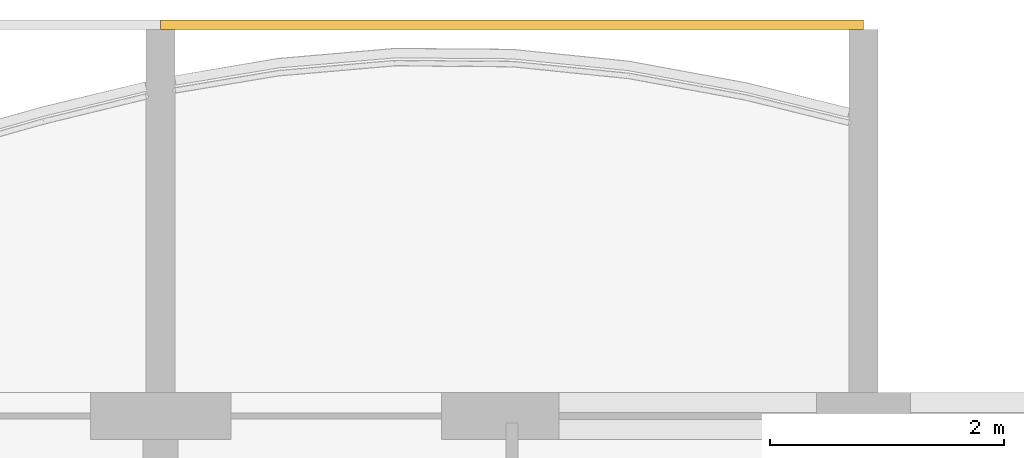
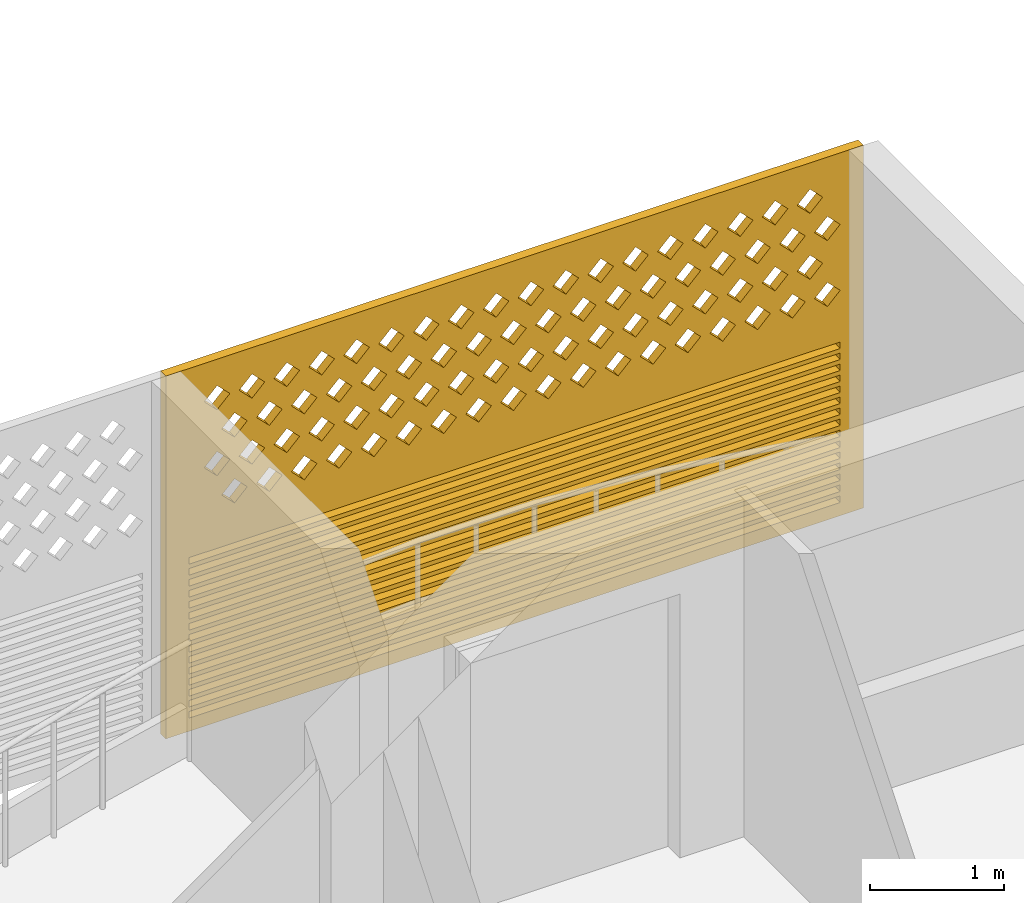
# One storey, part 25 of 33: 1 covering.
"""IFC4 building model written with IfcOpenShell, lengths in metres."""

from ifc_helpers import new_model, si_unit, direction, frame, origin, place, context, subcontext, project, spatial, polyline, outline, extrude, source, transform, mapped, material, material_profile, profile_set, type_object, element, save


model = new_model("IFC4")

# Units and contexts
model_context = context("Model", 3, precision=1e-05, world=origin(), true_north=direction((0.0, 1.0)))
body_context = subcontext(model_context, "Body", "Model", "MODEL_VIEW")
ifc_project = project(units=[si_unit("LENGTHUNIT", "METRE"), si_unit("AREAUNIT", "SQUARE_METRE"), si_unit("VOLUMEUNIT", "CUBIC_METRE"), si_unit("PLANEANGLEUNIT", "RADIAN"), si_unit("MASSUNIT", "GRAM", prefix="KILO")], contexts=[model_context])

# Site, building, storey
site_placement = place(None, origin())
site = spatial("IfcSite", under=ifc_project, at=site_placement, CompositionType="ELEMENT")
building_placement = place(site_placement, origin())
building = spatial("IfcBuilding", under=site, at=building_placement, Name="Poui Terraces", CompositionType="ELEMENT")
storey_placement = place(building_placement, frame((0.0, 0.0, 138.89990234375)))
storey = spatial("IfcBuildingStorey", under=building, at=storey_placement, Name="L38", CompositionType="ELEMENT", Elevation=138.89990234375)

# Covering
ifc_material = material(Name="Terracotta screen", Category="masonry")
ifc_material_profile = material_profile(ifc_material, outline(polyline([(-3.0, -1.64990234375), (3.0, -1.64990234375), (3.0, 1.64990234375), (-3.0, 1.64990234375), (-3.0, -1.64990234375)]), holes=[polyline([(-2.800048828125, 0.39990234375), (-2.68994140625, 0.2900390625), (-2.580078125, 0.39990234375), (-2.68994140625, 0.510009765625), (-2.800048828125, 0.39990234375)]), polyline([(-2.5, 0.39990234375), (-2.389892578125, 0.2900390625), (-2.280029296875, 0.39990234375), (-2.389892578125, 0.510009765625), (-2.5, 0.39990234375)]), polyline([(-2.199951171875, 0.39990234375), (-2.090087890625, 0.2900390625), (-1.97998046875, 0.39990234375), (-2.090087890625, 0.510009765625), (-2.199951171875, 0.39990234375)]), polyline([(-1.89990234375, 0.39990234375), (-1.7900390625, 0.2900390625), (-1.679931640625, 0.39990234375), (-1.7900390625, 0.510009765625), (-1.89990234375, 0.39990234375)]), polyline([(-1.60009765625, 0.39990234375), (-1.489990234375, 0.2900390625), (-1.3798828125, 0.39990234375), (-1.489990234375, 0.510009765625), (-1.60009765625, 0.39990234375)]), polyline([(-1.300048828125, 0.39990234375), (-1.18994140625, 0.2900390625), (-1.080078125, 0.39990234375), (-1.18994140625, 0.510009765625), (-1.300048828125, 0.39990234375)]), polyline([(-1.0, 0.39990234375), (-0.889892578125, 0.2900390625), (-0.780029296875, 0.39990234375), (-0.889892578125, 0.510009765625), (-1.0, 0.39990234375)]), polyline([(-0.699951171875, 0.39990234375), (-0.590087890625, 0.2900390625), (-0.47998046875, 0.39990234375), (-0.590087890625, 0.510009765625), (-0.699951171875, 0.39990234375)]), polyline([(-0.39990234375, 0.39990234375), (-0.2900390625, 0.2900390625), (-0.179931640625, 0.39990234375), (-0.2900390625, 0.510009765625), (-0.39990234375, 0.39990234375)]), polyline([(-0.10009765625, 0.39990234375), (0.010009765625, 0.2900390625), (0.1201171875, 0.39990234375), (0.010009765625, 0.510009765625), (-0.10009765625, 0.39990234375)]), polyline([(0.199951171875, 0.39990234375), (0.31005859375, 0.2900390625), (0.419921875, 0.39990234375), (0.31005859375, 0.510009765625), (0.199951171875, 0.39990234375)]), polyline([(0.5, 0.39990234375), (0.610107421875, 0.2900390625), (0.719970703125, 0.39990234375), (0.610107421875, 0.510009765625), (0.5, 0.39990234375)]), polyline([(0.800048828125, 0.39990234375), (0.909912109375, 0.2900390625), (1.02001953125, 0.39990234375), (0.909912109375, 0.510009765625), (0.800048828125, 0.39990234375)]), polyline([(1.10009765625, 0.39990234375), (1.2099609375, 0.2900390625), (1.320068359375, 0.39990234375), (1.2099609375, 0.510009765625), (1.10009765625, 0.39990234375)]), polyline([(1.39990234375, 0.39990234375), (1.510009765625, 0.2900390625), (1.6201171875, 0.39990234375), (1.510009765625, 0.510009765625), (1.39990234375, 0.39990234375)]), polyline([(1.699951171875, 0.39990234375), (1.81005859375, 0.2900390625), (1.919921875, 0.39990234375), (1.81005859375, 0.510009765625), (1.699951171875, 0.39990234375)]), polyline([(2.0, 0.39990234375), (2.110107421875, 0.2900390625), (2.219970703125, 0.39990234375), (2.110107421875, 0.510009765625), (2.0, 0.39990234375)]), polyline([(2.300048828125, 0.39990234375), (2.409912109375, 0.2900390625), (2.52001953125, 0.39990234375), (2.409912109375, 0.510009765625), (2.300048828125, 0.39990234375)]), polyline([(-2.64990234375, 0.699951171875), (-2.5400390625, 0.590087890625), (-2.429931640625, 0.699951171875), (-2.5400390625, 0.81005859375), (-2.64990234375, 0.699951171875)]), polyline([(-2.35009765625, 0.699951171875), (-2.239990234375, 0.590087890625), (-2.1298828125, 0.699951171875), (-2.239990234375, 0.81005859375), (-2.35009765625, 0.699951171875)]), polyline([(-2.050048828125, 0.699951171875), (-1.93994140625, 0.590087890625), (-1.830078125, 0.699951171875), (-1.93994140625, 0.81005859375), (-2.050048828125, 0.699951171875)]), polyline([(-1.75, 0.699951171875), (-1.639892578125, 0.590087890625), (-1.530029296875, 0.699951171875), (-1.639892578125, 0.81005859375), (-1.75, 0.699951171875)]), polyline([(-1.449951171875, 0.699951171875), (-1.340087890625, 0.590087890625), (-1.22998046875, 0.699951171875), (-1.340087890625, 0.81005859375), (-1.449951171875, 0.699951171875)]), polyline([(-1.14990234375, 0.699951171875), (-1.0400390625, 0.590087890625), (-0.929931640625, 0.699951171875), (-1.0400390625, 0.81005859375), (-1.14990234375, 0.699951171875)]), polyline([(-0.85009765625, 0.699951171875), (-0.739990234375, 0.590087890625), (-0.6298828125, 0.699951171875), (-0.739990234375, 0.81005859375), (-0.85009765625, 0.699951171875)]), polyline([(-0.550048828125, 0.699951171875), (-0.43994140625, 0.590087890625), (-0.330078125, 0.699951171875), (-0.43994140625, 0.81005859375), (-0.550048828125, 0.699951171875)]), polyline([(-0.25, 0.699951171875), (-0.139892578125, 0.590087890625), (-0.030029296875, 0.699951171875), (-0.139892578125, 0.81005859375), (-0.25, 0.699951171875)]), polyline([(0.050048828125, 0.699951171875), (0.159912109375, 0.590087890625), (0.27001953125, 0.699951171875), (0.159912109375, 0.81005859375), (0.050048828125, 0.699951171875)]), polyline([(0.35009765625, 0.699951171875), (0.4599609375, 0.590087890625), (0.570068359375, 0.699951171875), (0.4599609375, 0.81005859375), (0.35009765625, 0.699951171875)]), polyline([(0.64990234375, 0.699951171875), (0.760009765625, 0.590087890625), (0.8701171875, 0.699951171875), (0.760009765625, 0.81005859375), (0.64990234375, 0.699951171875)]), polyline([(0.949951171875, 0.699951171875), (1.06005859375, 0.590087890625), (1.169921875, 0.699951171875), (1.06005859375, 0.81005859375), (0.949951171875, 0.699951171875)]), polyline([(1.25, 0.699951171875), (1.360107421875, 0.590087890625), (1.469970703125, 0.699951171875), (1.360107421875, 0.81005859375), (1.25, 0.699951171875)]), polyline([(1.550048828125, 0.699951171875), (1.659912109375, 0.590087890625), (1.77001953125, 0.699951171875), (1.659912109375, 0.81005859375), (1.550048828125, 0.699951171875)]), polyline([(1.85009765625, 0.699951171875), (1.9599609375, 0.590087890625), (2.070068359375, 0.699951171875), (1.9599609375, 0.81005859375), (1.85009765625, 0.699951171875)]), polyline([(2.14990234375, 0.699951171875), (2.260009765625, 0.590087890625), (2.3701171875, 0.699951171875), (2.260009765625, 0.81005859375), (2.14990234375, 0.699951171875)]), polyline([(2.449951171875, 0.699951171875), (2.56005859375, 0.590087890625), (2.669921875, 0.699951171875), (2.56005859375, 0.81005859375), (2.449951171875, 0.699951171875)]), polyline([(-2.800048828125, 1.0), (-2.68994140625, 0.889892578125), (-2.580078125, 1.0), (-2.68994140625, 1.110107421875), (-2.800048828125, 1.0)]), polyline([(-2.5, 1.0), (-2.389892578125, 0.889892578125), (-2.280029296875, 1.0), (-2.389892578125, 1.110107421875), (-2.5, 1.0)]), polyline([(-2.199951171875, 1.0), (-2.090087890625, 0.889892578125), (-1.97998046875, 1.0), (-2.090087890625, 1.110107421875), (-2.199951171875, 1.0)]), polyline([(-1.89990234375, 1.0), (-1.7900390625, 0.889892578125), (-1.679931640625, 1.0), (-1.7900390625, 1.110107421875), (-1.89990234375, 1.0)]), polyline([(-1.60009765625, 1.0), (-1.489990234375, 0.889892578125), (-1.3798828125, 1.0), (-1.489990234375, 1.110107421875), (-1.60009765625, 1.0)]), polyline([(-1.300048828125, 1.0), (-1.18994140625, 0.889892578125), (-1.080078125, 1.0), (-1.18994140625, 1.110107421875), (-1.300048828125, 1.0)]), polyline([(-1.0, 1.0), (-0.889892578125, 0.889892578125), (-0.780029296875, 1.0), (-0.889892578125, 1.110107421875), (-1.0, 1.0)]), polyline([(-0.699951171875, 1.0), (-0.590087890625, 0.889892578125), (-0.47998046875, 1.0), (-0.590087890625, 1.110107421875), (-0.699951171875, 1.0)]), polyline([(-0.39990234375, 1.0), (-0.2900390625, 0.889892578125), (-0.179931640625, 1.0), (-0.2900390625, 1.110107421875), (-0.39990234375, 1.0)]), polyline([(-0.10009765625, 1.0), (0.010009765625, 0.889892578125), (0.1201171875, 1.0), (0.010009765625, 1.110107421875), (-0.10009765625, 1.0)]), polyline([(0.199951171875, 1.0), (0.31005859375, 0.889892578125), (0.419921875, 1.0), (0.31005859375, 1.110107421875), (0.199951171875, 1.0)]), polyline([(0.5, 1.0), (0.610107421875, 0.889892578125), (0.719970703125, 1.0), (0.610107421875, 1.110107421875), (0.5, 1.0)]), polyline([(0.800048828125, 1.0), (0.909912109375, 0.889892578125), (1.02001953125, 1.0), (0.909912109375, 1.110107421875), (0.800048828125, 1.0)]), polyline([(1.10009765625, 1.0), (1.2099609375, 0.889892578125), (1.320068359375, 1.0), (1.2099609375, 1.110107421875), (1.10009765625, 1.0)]), polyline([(1.39990234375, 1.0), (1.510009765625, 0.889892578125), (1.6201171875, 1.0), (1.510009765625, 1.110107421875), (1.39990234375, 1.0)]), polyline([(1.699951171875, 1.0), (1.81005859375, 0.889892578125), (1.919921875, 1.0), (1.81005859375, 1.110107421875), (1.699951171875, 1.0)]), polyline([(2.0, 1.0), (2.110107421875, 0.889892578125), (2.219970703125, 1.0), (2.110107421875, 1.110107421875), (2.0, 1.0)]), polyline([(2.300048828125, 1.0), (2.409912109375, 0.889892578125), (2.52001953125, 1.0), (2.409912109375, 1.110107421875), (2.300048828125, 1.0)]), polyline([(-2.64990234375, 1.300048828125), (-2.5400390625, 1.18994140625), (-2.429931640625, 1.300048828125), (-2.5400390625, 1.409912109375), (-2.64990234375, 1.300048828125)]), polyline([(-2.35009765625, 1.300048828125), (-2.239990234375, 1.18994140625), (-2.1298828125, 1.300048828125), (-2.239990234375, 1.409912109375), (-2.35009765625, 1.300048828125)]), polyline([(-2.050048828125, 1.300048828125), (-1.93994140625, 1.18994140625), (-1.830078125, 1.300048828125), (-1.93994140625, 1.409912109375), (-2.050048828125, 1.300048828125)]), polyline([(-1.75, 1.300048828125), (-1.639892578125, 1.18994140625), (-1.530029296875, 1.300048828125), (-1.639892578125, 1.409912109375), (-1.75, 1.300048828125)]), polyline([(-1.449951171875, 1.300048828125), (-1.340087890625, 1.18994140625), (-1.22998046875, 1.300048828125), (-1.340087890625, 1.409912109375), (-1.449951171875, 1.300048828125)]), polyline([(-1.14990234375, 1.300048828125), (-1.0400390625, 1.18994140625), (-0.929931640625, 1.300048828125), (-1.0400390625, 1.409912109375), (-1.14990234375, 1.300048828125)]), polyline([(-0.85009765625, 1.300048828125), (-0.739990234375, 1.18994140625), (-0.6298828125, 1.300048828125), (-0.739990234375, 1.409912109375), (-0.85009765625, 1.300048828125)]), polyline([(-0.550048828125, 1.300048828125), (-0.43994140625, 1.18994140625), (-0.330078125, 1.300048828125), (-0.43994140625, 1.409912109375), (-0.550048828125, 1.300048828125)]), polyline([(-0.25, 1.300048828125), (-0.139892578125, 1.18994140625), (-0.030029296875, 1.300048828125), (-0.139892578125, 1.409912109375), (-0.25, 1.300048828125)]), polyline([(0.050048828125, 1.300048828125), (0.159912109375, 1.18994140625), (0.27001953125, 1.300048828125), (0.159912109375, 1.409912109375), (0.050048828125, 1.300048828125)]), polyline([(0.35009765625, 1.300048828125), (0.4599609375, 1.18994140625), (0.570068359375, 1.300048828125), (0.4599609375, 1.409912109375), (0.35009765625, 1.300048828125)]), polyline([(0.64990234375, 1.300048828125), (0.760009765625, 1.18994140625), (0.8701171875, 1.300048828125), (0.760009765625, 1.409912109375), (0.64990234375, 1.300048828125)]), polyline([(0.949951171875, 1.300048828125), (1.06005859375, 1.18994140625), (1.169921875, 1.300048828125), (1.06005859375, 1.409912109375), (0.949951171875, 1.300048828125)]), polyline([(1.25, 1.300048828125), (1.360107421875, 1.18994140625), (1.469970703125, 1.300048828125), (1.360107421875, 1.409912109375), (1.25, 1.300048828125)]), polyline([(1.550048828125, 1.300048828125), (1.659912109375, 1.18994140625), (1.77001953125, 1.300048828125), (1.659912109375, 1.409912109375), (1.550048828125, 1.300048828125)]), polyline([(1.85009765625, 1.300048828125), (1.9599609375, 1.18994140625), (2.070068359375, 1.300048828125), (1.9599609375, 1.409912109375), (1.85009765625, 1.300048828125)]), polyline([(2.14990234375, 1.300048828125), (2.260009765625, 1.18994140625), (2.3701171875, 1.300048828125), (2.260009765625, 1.409912109375), (2.14990234375, 1.300048828125)]), polyline([(2.449951171875, 1.300048828125), (2.56005859375, 1.18994140625), (2.669921875, 1.300048828125), (2.56005859375, 1.409912109375), (2.449951171875, 1.300048828125)]), polyline([(-2.800048828125, -1.530029296875), (2.800048828125, -1.530029296875), (2.800048828125, -1.469970703125), (-2.800048828125, -1.469970703125), (-2.800048828125, -1.530029296875)]), polyline([(-2.800048828125, -1.429931640625), (2.800048828125, -1.429931640625), (2.800048828125, -1.3701171875), (-2.800048828125, -1.3701171875), (-2.800048828125, -1.429931640625)]), polyline([(-2.800048828125, -1.330078125), (2.800048828125, -1.330078125), (2.800048828125, -1.27001953125), (-2.800048828125, -1.27001953125), (-2.800048828125, -1.330078125)]), polyline([(-2.800048828125, -1.22998046875), (2.800048828125, -1.22998046875), (2.800048828125, -1.169921875), (-2.800048828125, -1.169921875), (-2.800048828125, -1.22998046875)]), polyline([(-2.800048828125, -1.1298828125), (2.800048828125, -1.1298828125), (2.800048828125, -1.070068359375), (-2.800048828125, -1.070068359375), (-2.800048828125, -1.1298828125)]), polyline([(-2.800048828125, -1.030029296875), (2.800048828125, -1.030029296875), (2.800048828125, -0.969970703125), (-2.800048828125, -0.969970703125), (-2.800048828125, -1.030029296875)]), polyline([(-2.800048828125, -0.929931640625), (2.800048828125, -0.929931640625), (2.800048828125, -0.8701171875), (-2.800048828125, -0.8701171875), (-2.800048828125, -0.929931640625)]), polyline([(-2.800048828125, -0.830078125), (2.800048828125, -0.830078125), (2.800048828125, -0.77001953125), (-2.800048828125, -0.77001953125), (-2.800048828125, -0.830078125)]), polyline([(-2.800048828125, -0.72998046875), (2.800048828125, -0.72998046875), (2.800048828125, -0.669921875), (-2.800048828125, -0.669921875), (-2.800048828125, -0.72998046875)]), polyline([(-2.800048828125, -0.6298828125), (2.800048828125, -0.6298828125), (2.800048828125, -0.570068359375), (-2.800048828125, -0.570068359375), (-2.800048828125, -0.6298828125)]), polyline([(-2.800048828125, -0.530029296875), (2.800048828125, -0.530029296875), (2.800048828125, -0.469970703125), (-2.800048828125, -0.469970703125), (-2.800048828125, -0.530029296875)]), polyline([(-2.800048828125, -0.429931640625), (2.800048828125, -0.429931640625), (2.800048828125, -0.3701171875), (-2.800048828125, -0.3701171875), (-2.800048828125, -0.429931640625)]), polyline([(-2.800048828125, -0.330078125), (2.800048828125, -0.330078125), (2.800048828125, -0.27001953125), (-2.800048828125, -0.27001953125), (-2.800048828125, -0.330078125)]), polyline([(-2.800048828125, -0.22998046875), (2.800048828125, -0.22998046875), (2.800048828125, -0.169921875), (-2.800048828125, -0.169921875), (-2.800048828125, -0.22998046875)]), polyline([(-2.800048828125, -0.1298828125), (2.800048828125, -0.1298828125), (2.800048828125, -0.070068359375), (-2.800048828125, -0.070068359375), (-2.800048828125, -0.1298828125)])]), Name="TERRACOTTA SCREEN AND JALOUSIE LOUVRE 6000X3300")
ifc_profile_set = profile_set([ifc_material_profile], Name="Terracotta screen")
covering_type = type_object("IfcCoveringType", Name="TERRACOTTA SCREEN AND JALOUSIE LOUVRE 6000X3300", PredefinedType="CLADDING", material=ifc_profile_set)
shared_shape = source(origin(), body_context, "Body", "SweptSolid", [
    extrude(outline(polyline([(-3.0, -1.64990234375), (3.0, -1.64990234375), (3.0, 1.64990234375), (-3.0, 1.64990234375), (-3.0, -1.64990234375)]), holes=[polyline([(-2.800048828125, 0.39990234375), (-2.68994140625, 0.2900390625), (-2.580078125, 0.39990234375), (-2.68994140625, 0.510009765625), (-2.800048828125, 0.39990234375)]), polyline([(-2.5, 0.39990234375), (-2.389892578125, 0.2900390625), (-2.280029296875, 0.39990234375), (-2.389892578125, 0.510009765625), (-2.5, 0.39990234375)]), polyline([(-2.199951171875, 0.39990234375), (-2.090087890625, 0.2900390625), (-1.97998046875, 0.39990234375), (-2.090087890625, 0.510009765625), (-2.199951171875, 0.39990234375)]), polyline([(-1.89990234375, 0.39990234375), (-1.7900390625, 0.2900390625), (-1.679931640625, 0.39990234375), (-1.7900390625, 0.510009765625), (-1.89990234375, 0.39990234375)]), polyline([(-1.60009765625, 0.39990234375), (-1.489990234375, 0.2900390625), (-1.3798828125, 0.39990234375), (-1.489990234375, 0.510009765625), (-1.60009765625, 0.39990234375)]), polyline([(-1.300048828125, 0.39990234375), (-1.18994140625, 0.2900390625), (-1.080078125, 0.39990234375), (-1.18994140625, 0.510009765625), (-1.300048828125, 0.39990234375)]), polyline([(-1.0, 0.39990234375), (-0.889892578125, 0.2900390625), (-0.780029296875, 0.39990234375), (-0.889892578125, 0.510009765625), (-1.0, 0.39990234375)]), polyline([(-0.699951171875, 0.39990234375), (-0.590087890625, 0.2900390625), (-0.47998046875, 0.39990234375), (-0.590087890625, 0.510009765625), (-0.699951171875, 0.39990234375)]), polyline([(-0.39990234375, 0.39990234375), (-0.2900390625, 0.2900390625), (-0.179931640625, 0.39990234375), (-0.2900390625, 0.510009765625), (-0.39990234375, 0.39990234375)]), polyline([(-0.10009765625, 0.39990234375), (0.010009765625, 0.2900390625), (0.1201171875, 0.39990234375), (0.010009765625, 0.510009765625), (-0.10009765625, 0.39990234375)]), polyline([(0.199951171875, 0.39990234375), (0.31005859375, 0.2900390625), (0.419921875, 0.39990234375), (0.31005859375, 0.510009765625), (0.199951171875, 0.39990234375)]), polyline([(0.5, 0.39990234375), (0.610107421875, 0.2900390625), (0.719970703125, 0.39990234375), (0.610107421875, 0.510009765625), (0.5, 0.39990234375)]), polyline([(0.800048828125, 0.39990234375), (0.909912109375, 0.2900390625), (1.02001953125, 0.39990234375), (0.909912109375, 0.510009765625), (0.800048828125, 0.39990234375)]), polyline([(1.10009765625, 0.39990234375), (1.2099609375, 0.2900390625), (1.320068359375, 0.39990234375), (1.2099609375, 0.510009765625), (1.10009765625, 0.39990234375)]), polyline([(1.39990234375, 0.39990234375), (1.510009765625, 0.2900390625), (1.6201171875, 0.39990234375), (1.510009765625, 0.510009765625), (1.39990234375, 0.39990234375)]), polyline([(1.699951171875, 0.39990234375), (1.81005859375, 0.2900390625), (1.919921875, 0.39990234375), (1.81005859375, 0.510009765625), (1.699951171875, 0.39990234375)]), polyline([(2.0, 0.39990234375), (2.110107421875, 0.2900390625), (2.219970703125, 0.39990234375), (2.110107421875, 0.510009765625), (2.0, 0.39990234375)]), polyline([(2.300048828125, 0.39990234375), (2.409912109375, 0.2900390625), (2.52001953125, 0.39990234375), (2.409912109375, 0.510009765625), (2.300048828125, 0.39990234375)]), polyline([(-2.64990234375, 0.699951171875), (-2.5400390625, 0.590087890625), (-2.429931640625, 0.699951171875), (-2.5400390625, 0.81005859375), (-2.64990234375, 0.699951171875)]), polyline([(-2.35009765625, 0.699951171875), (-2.239990234375, 0.590087890625), (-2.1298828125, 0.699951171875), (-2.239990234375, 0.81005859375), (-2.35009765625, 0.699951171875)]), polyline([(-2.050048828125, 0.699951171875), (-1.93994140625, 0.590087890625), (-1.830078125, 0.699951171875), (-1.93994140625, 0.81005859375), (-2.050048828125, 0.699951171875)]), polyline([(-1.75, 0.699951171875), (-1.639892578125, 0.590087890625), (-1.530029296875, 0.699951171875), (-1.639892578125, 0.81005859375), (-1.75, 0.699951171875)]), polyline([(-1.449951171875, 0.699951171875), (-1.340087890625, 0.590087890625), (-1.22998046875, 0.699951171875), (-1.340087890625, 0.81005859375), (-1.449951171875, 0.699951171875)]), polyline([(-1.14990234375, 0.699951171875), (-1.0400390625, 0.590087890625), (-0.929931640625, 0.699951171875), (-1.0400390625, 0.81005859375), (-1.14990234375, 0.699951171875)]), polyline([(-0.85009765625, 0.699951171875), (-0.739990234375, 0.590087890625), (-0.6298828125, 0.699951171875), (-0.739990234375, 0.81005859375), (-0.85009765625, 0.699951171875)]), polyline([(-0.550048828125, 0.699951171875), (-0.43994140625, 0.590087890625), (-0.330078125, 0.699951171875), (-0.43994140625, 0.81005859375), (-0.550048828125, 0.699951171875)]), polyline([(-0.25, 0.699951171875), (-0.139892578125, 0.590087890625), (-0.030029296875, 0.699951171875), (-0.139892578125, 0.81005859375), (-0.25, 0.699951171875)]), polyline([(0.050048828125, 0.699951171875), (0.159912109375, 0.590087890625), (0.27001953125, 0.699951171875), (0.159912109375, 0.81005859375), (0.050048828125, 0.699951171875)]), polyline([(0.35009765625, 0.699951171875), (0.4599609375, 0.590087890625), (0.570068359375, 0.699951171875), (0.4599609375, 0.81005859375), (0.35009765625, 0.699951171875)]), polyline([(0.64990234375, 0.699951171875), (0.760009765625, 0.590087890625), (0.8701171875, 0.699951171875), (0.760009765625, 0.81005859375), (0.64990234375, 0.699951171875)]), polyline([(0.949951171875, 0.699951171875), (1.06005859375, 0.590087890625), (1.169921875, 0.699951171875), (1.06005859375, 0.81005859375), (0.949951171875, 0.699951171875)]), polyline([(1.25, 0.699951171875), (1.360107421875, 0.590087890625), (1.469970703125, 0.699951171875), (1.360107421875, 0.81005859375), (1.25, 0.699951171875)]), polyline([(1.550048828125, 0.699951171875), (1.659912109375, 0.590087890625), (1.77001953125, 0.699951171875), (1.659912109375, 0.81005859375), (1.550048828125, 0.699951171875)]), polyline([(1.85009765625, 0.699951171875), (1.9599609375, 0.590087890625), (2.070068359375, 0.699951171875), (1.9599609375, 0.81005859375), (1.85009765625, 0.699951171875)]), polyline([(2.14990234375, 0.699951171875), (2.260009765625, 0.590087890625), (2.3701171875, 0.699951171875), (2.260009765625, 0.81005859375), (2.14990234375, 0.699951171875)]), polyline([(2.449951171875, 0.699951171875), (2.56005859375, 0.590087890625), (2.669921875, 0.699951171875), (2.56005859375, 0.81005859375), (2.449951171875, 0.699951171875)]), polyline([(-2.800048828125, 1.0), (-2.68994140625, 0.889892578125), (-2.580078125, 1.0), (-2.68994140625, 1.110107421875), (-2.800048828125, 1.0)]), polyline([(-2.5, 1.0), (-2.389892578125, 0.889892578125), (-2.280029296875, 1.0), (-2.389892578125, 1.110107421875), (-2.5, 1.0)]), polyline([(-2.199951171875, 1.0), (-2.090087890625, 0.889892578125), (-1.97998046875, 1.0), (-2.090087890625, 1.110107421875), (-2.199951171875, 1.0)]), polyline([(-1.89990234375, 1.0), (-1.7900390625, 0.889892578125), (-1.679931640625, 1.0), (-1.7900390625, 1.110107421875), (-1.89990234375, 1.0)]), polyline([(-1.60009765625, 1.0), (-1.489990234375, 0.889892578125), (-1.3798828125, 1.0), (-1.489990234375, 1.110107421875), (-1.60009765625, 1.0)]), polyline([(-1.300048828125, 1.0), (-1.18994140625, 0.889892578125), (-1.080078125, 1.0), (-1.18994140625, 1.110107421875), (-1.300048828125, 1.0)]), polyline([(-1.0, 1.0), (-0.889892578125, 0.889892578125), (-0.780029296875, 1.0), (-0.889892578125, 1.110107421875), (-1.0, 1.0)]), polyline([(-0.699951171875, 1.0), (-0.590087890625, 0.889892578125), (-0.47998046875, 1.0), (-0.590087890625, 1.110107421875), (-0.699951171875, 1.0)]), polyline([(-0.39990234375, 1.0), (-0.2900390625, 0.889892578125), (-0.179931640625, 1.0), (-0.2900390625, 1.110107421875), (-0.39990234375, 1.0)]), polyline([(-0.10009765625, 1.0), (0.010009765625, 0.889892578125), (0.1201171875, 1.0), (0.010009765625, 1.110107421875), (-0.10009765625, 1.0)]), polyline([(0.199951171875, 1.0), (0.31005859375, 0.889892578125), (0.419921875, 1.0), (0.31005859375, 1.110107421875), (0.199951171875, 1.0)]), polyline([(0.5, 1.0), (0.610107421875, 0.889892578125), (0.719970703125, 1.0), (0.610107421875, 1.110107421875), (0.5, 1.0)]), polyline([(0.800048828125, 1.0), (0.909912109375, 0.889892578125), (1.02001953125, 1.0), (0.909912109375, 1.110107421875), (0.800048828125, 1.0)]), polyline([(1.10009765625, 1.0), (1.2099609375, 0.889892578125), (1.320068359375, 1.0), (1.2099609375, 1.110107421875), (1.10009765625, 1.0)]), polyline([(1.39990234375, 1.0), (1.510009765625, 0.889892578125), (1.6201171875, 1.0), (1.510009765625, 1.110107421875), (1.39990234375, 1.0)]), polyline([(1.699951171875, 1.0), (1.81005859375, 0.889892578125), (1.919921875, 1.0), (1.81005859375, 1.110107421875), (1.699951171875, 1.0)]), polyline([(2.0, 1.0), (2.110107421875, 0.889892578125), (2.219970703125, 1.0), (2.110107421875, 1.110107421875), (2.0, 1.0)]), polyline([(2.300048828125, 1.0), (2.409912109375, 0.889892578125), (2.52001953125, 1.0), (2.409912109375, 1.110107421875), (2.300048828125, 1.0)]), polyline([(-2.64990234375, 1.300048828125), (-2.5400390625, 1.18994140625), (-2.429931640625, 1.300048828125), (-2.5400390625, 1.409912109375), (-2.64990234375, 1.300048828125)]), polyline([(-2.35009765625, 1.300048828125), (-2.239990234375, 1.18994140625), (-2.1298828125, 1.300048828125), (-2.239990234375, 1.409912109375), (-2.35009765625, 1.300048828125)]), polyline([(-2.050048828125, 1.300048828125), (-1.93994140625, 1.18994140625), (-1.830078125, 1.300048828125), (-1.93994140625, 1.409912109375), (-2.050048828125, 1.300048828125)]), polyline([(-1.75, 1.300048828125), (-1.639892578125, 1.18994140625), (-1.530029296875, 1.300048828125), (-1.639892578125, 1.409912109375), (-1.75, 1.300048828125)]), polyline([(-1.449951171875, 1.300048828125), (-1.340087890625, 1.18994140625), (-1.22998046875, 1.300048828125), (-1.340087890625, 1.409912109375), (-1.449951171875, 1.300048828125)]), polyline([(-1.14990234375, 1.300048828125), (-1.0400390625, 1.18994140625), (-0.929931640625, 1.300048828125), (-1.0400390625, 1.409912109375), (-1.14990234375, 1.300048828125)]), polyline([(-0.85009765625, 1.300048828125), (-0.739990234375, 1.18994140625), (-0.6298828125, 1.300048828125), (-0.739990234375, 1.409912109375), (-0.85009765625, 1.300048828125)]), polyline([(-0.550048828125, 1.300048828125), (-0.43994140625, 1.18994140625), (-0.330078125, 1.300048828125), (-0.43994140625, 1.409912109375), (-0.550048828125, 1.300048828125)]), polyline([(-0.25, 1.300048828125), (-0.139892578125, 1.18994140625), (-0.030029296875, 1.300048828125), (-0.139892578125, 1.409912109375), (-0.25, 1.300048828125)]), polyline([(0.050048828125, 1.300048828125), (0.159912109375, 1.18994140625), (0.27001953125, 1.300048828125), (0.159912109375, 1.409912109375), (0.050048828125, 1.300048828125)]), polyline([(0.35009765625, 1.300048828125), (0.4599609375, 1.18994140625), (0.570068359375, 1.300048828125), (0.4599609375, 1.409912109375), (0.35009765625, 1.300048828125)]), polyline([(0.64990234375, 1.300048828125), (0.760009765625, 1.18994140625), (0.8701171875, 1.300048828125), (0.760009765625, 1.409912109375), (0.64990234375, 1.300048828125)]), polyline([(0.949951171875, 1.300048828125), (1.06005859375, 1.18994140625), (1.169921875, 1.300048828125), (1.06005859375, 1.409912109375), (0.949951171875, 1.300048828125)]), polyline([(1.25, 1.300048828125), (1.360107421875, 1.18994140625), (1.469970703125, 1.300048828125), (1.360107421875, 1.409912109375), (1.25, 1.300048828125)]), polyline([(1.550048828125, 1.300048828125), (1.659912109375, 1.18994140625), (1.77001953125, 1.300048828125), (1.659912109375, 1.409912109375), (1.550048828125, 1.300048828125)]), polyline([(1.85009765625, 1.300048828125), (1.9599609375, 1.18994140625), (2.070068359375, 1.300048828125), (1.9599609375, 1.409912109375), (1.85009765625, 1.300048828125)]), polyline([(2.14990234375, 1.300048828125), (2.260009765625, 1.18994140625), (2.3701171875, 1.300048828125), (2.260009765625, 1.409912109375), (2.14990234375, 1.300048828125)]), polyline([(2.449951171875, 1.300048828125), (2.56005859375, 1.18994140625), (2.669921875, 1.300048828125), (2.56005859375, 1.409912109375), (2.449951171875, 1.300048828125)]), polyline([(-2.800048828125, -1.530029296875), (2.800048828125, -1.530029296875), (2.800048828125, -1.469970703125), (-2.800048828125, -1.469970703125), (-2.800048828125, -1.530029296875)]), polyline([(-2.800048828125, -1.429931640625), (2.800048828125, -1.429931640625), (2.800048828125, -1.3701171875), (-2.800048828125, -1.3701171875), (-2.800048828125, -1.429931640625)]), polyline([(-2.800048828125, -1.330078125), (2.800048828125, -1.330078125), (2.800048828125, -1.27001953125), (-2.800048828125, -1.27001953125), (-2.800048828125, -1.330078125)]), polyline([(-2.800048828125, -1.22998046875), (2.800048828125, -1.22998046875), (2.800048828125, -1.169921875), (-2.800048828125, -1.169921875), (-2.800048828125, -1.22998046875)]), polyline([(-2.800048828125, -1.1298828125), (2.800048828125, -1.1298828125), (2.800048828125, -1.070068359375), (-2.800048828125, -1.070068359375), (-2.800048828125, -1.1298828125)]), polyline([(-2.800048828125, -1.030029296875), (2.800048828125, -1.030029296875), (2.800048828125, -0.969970703125), (-2.800048828125, -0.969970703125), (-2.800048828125, -1.030029296875)]), polyline([(-2.800048828125, -0.929931640625), (2.800048828125, -0.929931640625), (2.800048828125, -0.8701171875), (-2.800048828125, -0.8701171875), (-2.800048828125, -0.929931640625)]), polyline([(-2.800048828125, -0.830078125), (2.800048828125, -0.830078125), (2.800048828125, -0.77001953125), (-2.800048828125, -0.77001953125), (-2.800048828125, -0.830078125)]), polyline([(-2.800048828125, -0.72998046875), (2.800048828125, -0.72998046875), (2.800048828125, -0.669921875), (-2.800048828125, -0.669921875), (-2.800048828125, -0.72998046875)]), polyline([(-2.800048828125, -0.6298828125), (2.800048828125, -0.6298828125), (2.800048828125, -0.570068359375), (-2.800048828125, -0.570068359375), (-2.800048828125, -0.6298828125)]), polyline([(-2.800048828125, -0.530029296875), (2.800048828125, -0.530029296875), (2.800048828125, -0.469970703125), (-2.800048828125, -0.469970703125), (-2.800048828125, -0.530029296875)]), polyline([(-2.800048828125, -0.429931640625), (2.800048828125, -0.429931640625), (2.800048828125, -0.3701171875), (-2.800048828125, -0.3701171875), (-2.800048828125, -0.429931640625)]), polyline([(-2.800048828125, -0.330078125), (2.800048828125, -0.330078125), (2.800048828125, -0.27001953125), (-2.800048828125, -0.27001953125), (-2.800048828125, -0.330078125)]), polyline([(-2.800048828125, -0.22998046875), (2.800048828125, -0.22998046875), (2.800048828125, -0.169921875), (-2.800048828125, -0.169921875), (-2.800048828125, -0.22998046875)]), polyline([(-2.800048828125, -0.1298828125), (2.800048828125, -0.1298828125), (2.800048828125, -0.070068359375), (-2.800048828125, -0.070068359375), (-2.800048828125, -0.1298828125)])]), origin(), (0.0, 0.0, 1.0), 0.080078125),
])
covering_placement = place(storey_placement, frame((45.0, 45.699951171875, 1.4501953125), z_axis=(0.0, 1.0, 0.0), x_axis=(-1.0, 0.0, 0.0)))
element("IfcCovering", 1, at=covering_placement, inside=storey, type_object=covering_type, Name="SOLAR SCREEN AND JALOUSIE LOUVRE", PredefinedType="CLADDING", context=body_context, shape_type="MappedRepresentation", body=[
    mapped(shared_shape, transform((0.0, 0.0, 0.0))),
])

save(model, "model.ifc")
